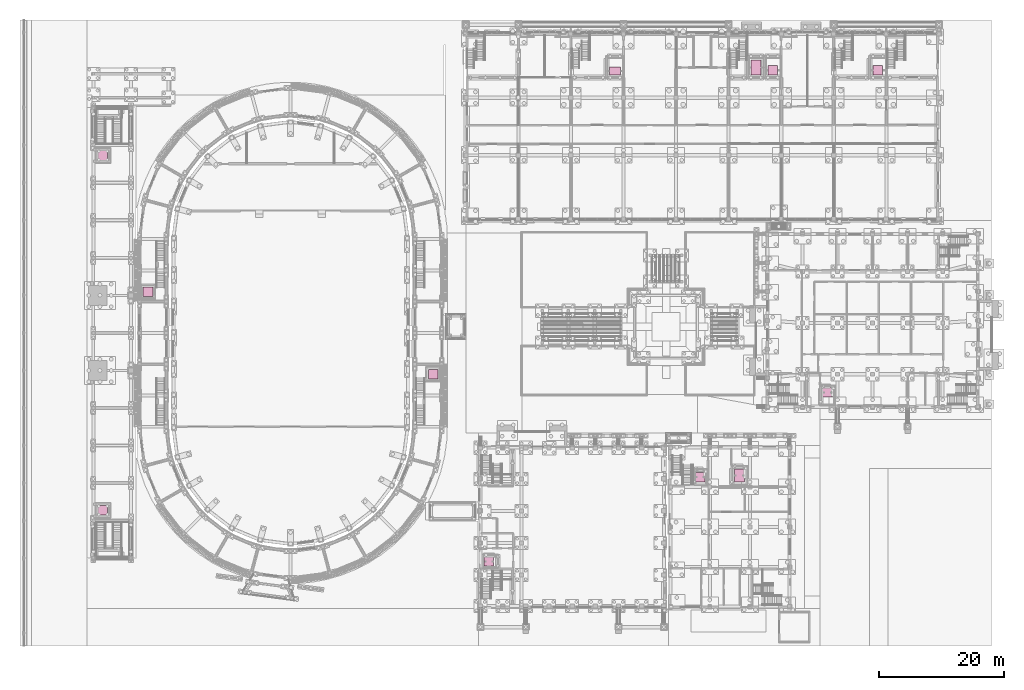
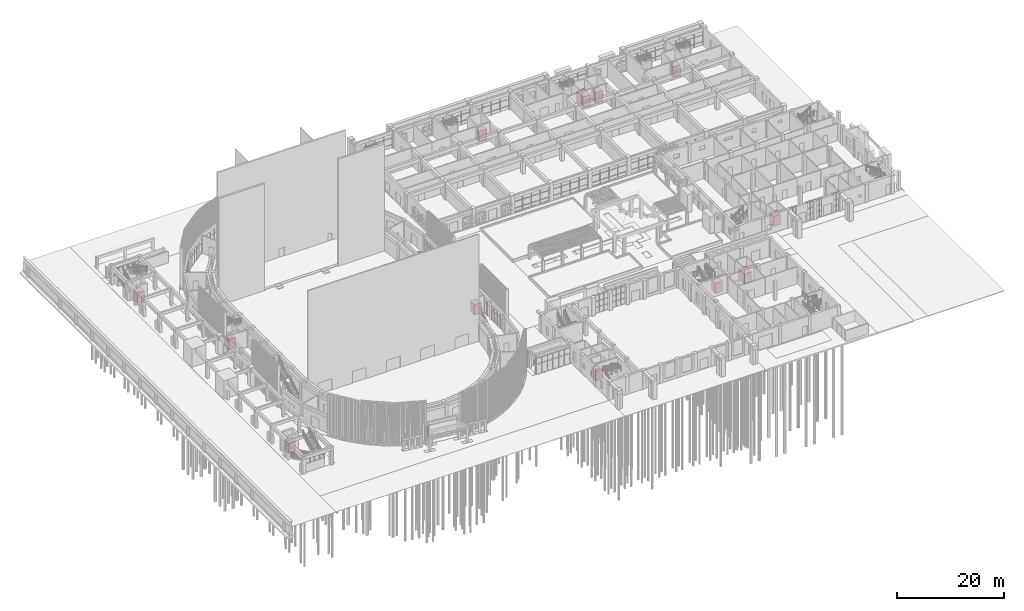
# One storey, part 112 of 112: 12 transport elements.
"""IFC4 building model written with IfcOpenShell, lengths in metres."""

from ifc_helpers import new_model, si_unit, direction, frame, origin, origin_2d, place, context, subcontext, project, spatial, rectangle, extrude, material, type_object, element, save


model = new_model("IFC4")

# Units and contexts
model_context = context("Model", 3, precision=1e-05, world=origin(), true_north=direction((0.0, 1.0)))
body_context = subcontext(model_context, "Body", "Model", "MODEL_VIEW")
ifc_project = project(units=[si_unit("LENGTHUNIT", "METRE"), si_unit("AREAUNIT", "SQUARE_METRE"), si_unit("VOLUMEUNIT", "CUBIC_METRE"), si_unit("PLANEANGLEUNIT", "RADIAN"), si_unit("MASSUNIT", "GRAM", prefix="KILO")], contexts=[model_context])

# Site, building, storey
site_placement = place(None, origin())
site = spatial("IfcSite", under=ifc_project, at=site_placement, CompositionType="ELEMENT")
building_placement = place(site_placement, origin())
building = spatial("IfcBuilding", under=site, at=building_placement, Name="Wasatch Bagh Community Centre", CompositionType="ELEMENT")
storey_placement = place(building_placement, origin())
storey = spatial("IfcBuildingStorey", under=building, at=storey_placement, Name="L00", CompositionType="ELEMENT", Elevation=0.0)

# Transport elements
ifc_material_1 = material(Name="Painted steel", Category="steel")
transport_element_type_1 = type_object("IfcTransportElementType", Name="CT-L1", PredefinedType="ELEVATOR", material=ifc_material_1)
for number, where, z_axis, x_axis, name in (
    (1, (6.0, 21.64990234375, 0.0), (0.0, 0.0, 1.0), (1.0, 0.0, 0.0), "LC1 passenger lift car"),
    (2, (6.0, 78.35009765625, 0.0), (0.0, 0.0, 1.0), (1.0, 0.0, 0.0), "LC2 passenger lift car"),
):
    element("IfcTransportElement", number, at=place(storey_placement, frame(where, z_axis=z_axis, x_axis=x_axis)), inside=storey, type_object=transport_element_type_1, Name=name, PredefinedType="ELEVATOR", context=body_context, shape_type="SweptSolid", body=[
        extrude(rectangle(XDim=1.52490234375, YDim=1.52490234375, at=origin_2d()), origin(), (0.0, 0.0, 1.0), 2.39990234375),
    ])
ifc_material_2 = material(Name="Stainless steel", Category="steel")
transport_element_type_2 = type_object("IfcTransportElementType", Name="DH lift LF4", PredefinedType="ELEVATOR", material=ifc_material_2)
transport_element_1_placement = place(storey_placement, frame((67.699951171875, 13.5, 0.0), z_axis=(0.0, 0.0, 1.0), x_axis=(1.0, 0.0, 0.0)))
element("IfcTransportElement", 3, at=transport_element_1_placement, inside=storey, type_object=transport_element_type_2, Name="Lift LF4", PredefinedType="ELEVATOR", context=body_context, shape_type="SweptSolid", body=[
    extrude(rectangle(XDim=1.52490234375, YDim=1.52490234375, at=origin_2d()), origin(), (0.0, 0.0, 1.0), 2.300048828125),
])
ifc_material_3 = material(Name="Stainless steel lift car", Category="steel")
transport_element_type_3 = type_object("IfcTransportElementType", Name="Drum passenger lift 1525 x 1525", PredefinedType="ELEVATOR", material=ifc_material_3)
for number, where, z_axis, x_axis, name in (
    (4, (58.77490234375, 43.39990234375, 0.0), (0.0, 0.0, 1.0), (1.0, 0.0, 0.0), "Lift LIFT-SE"),
    (5, (13.22509765625, 56.60009765625, 0.0), (0.0, 0.0, 1.0), (1.0, 0.0, 0.0), "Lift LIFT-NW"),
):
    element("IfcTransportElement", number, at=place(storey_placement, frame(where, z_axis=z_axis, x_axis=x_axis)), inside=storey, type_object=transport_element_type_3, Name=name, PredefinedType="ELEVATOR", context=body_context, shape_type="SweptSolid", body=[
        extrude(rectangle(XDim=1.52490234375, YDim=1.52490234375, at=origin_2d()), origin(), (0.0, 0.0, 1.0), 2.39990234375),
    ])
transport_element_type_4 = type_object("IfcTransportElementType", Name="KW lift LF2", PredefinedType="ELEVATOR", material=ifc_material_2)
transport_element_2_placement = place(storey_placement, frame((101.449951171875, 26.97509765625, 0.0), z_axis=(0.0, 0.0, 1.0), x_axis=(1.0, 0.0, 0.0)))
element("IfcTransportElement", 6, at=transport_element_2_placement, inside=storey, type_object=transport_element_type_4, Name="Lift LF2", PredefinedType="ELEVATOR", context=body_context, shape_type="SweptSolid", body=[
    extrude(rectangle(XDim=1.52490234375, YDim=1.52490234375, at=origin_2d()), origin(), (0.0, 0.0, 1.0), 2.300048828125),
])
transport_element_type_5 = type_object("IfcTransportElementType", Name="KW lift LF3", PredefinedType="ELEVATOR", material=ifc_material_2)
transport_element_3_placement = place(storey_placement, frame((107.699951171875, 27.199951171875, 0.0), z_axis=(0.0, 0.0, 1.0), x_axis=(1.0, 0.0, 0.0)))
element("IfcTransportElement", 7, at=transport_element_3_placement, inside=storey, type_object=transport_element_type_5, Name="Lift LF3", PredefinedType="ELEVATOR", context=body_context, shape_type="SweptSolid", body=[
    extrude(rectangle(XDim=1.60009765625, YDim=2.10009765625, at=origin_2d()), origin(), (0.0, 0.0, 1.0), 2.300048828125),
])
ifc_material_4 = material(Name="Stainless steel car", Category="steel")
transport_element_type_6 = type_object("IfcTransportElementType", Name="LW lift car 1525x1525", PredefinedType="ELEVATOR", material=ifc_material_4)
for number, where, z_axis, x_axis, name in (
    (8, (113.050048828125, 91.96240234375, 0.050048828125), (0.0, 0.0, 1.0), (1.0, 0.0, 0.0), "Lift LF-L3"),
    (9, (129.85009765625, 91.96240234375, 0.050048828125), (0.0, 0.0, 1.0), (1.0, 0.0, 0.0), "Lift LF-L4"),
):
    element("IfcTransportElement", number, at=place(storey_placement, frame(where, z_axis=z_axis, x_axis=x_axis)), inside=storey, type_object=transport_element_type_6, Name=name, PredefinedType="ELEVATOR", context=body_context, shape_type="SweptSolid", body=[
        extrude(rectangle(XDim=1.52490234375, YDim=1.52490234375, at=origin_2d()), origin(), (0.0, 0.0, 1.0), 2.39990234375),
    ])
transport_element_type_7 = type_object("IfcTransportElementType", Name="LW lift car 1600x2400", PredefinedType="ELEVATOR", material=ifc_material_4)
transport_element_4_placement = place(storey_placement, frame((110.35009765625, 92.39990234375, 0.050048828125), z_axis=(0.0, 0.0, 1.0), x_axis=(1.0, 0.0, 0.0)))
element("IfcTransportElement", 10, at=transport_element_4_placement, inside=storey, type_object=transport_element_type_7, Name="Lift LF-L2", PredefinedType="ELEVATOR", context=body_context, shape_type="SweptSolid", body=[
    extrude(rectangle(XDim=1.60009765625, YDim=2.39990234375, at=origin_2d()), origin(), (0.0, 0.0, 1.0), 2.39990234375),
])
transport_element_type_8 = type_object("IfcTransportElementType", Name="LW lift car 1725x1295", PredefinedType="ELEVATOR", material=ifc_material_4)
transport_element_5_placement = place(storey_placement, frame((87.85009765625, 91.847412109375, 0.050048828125), z_axis=(0.0, 0.0, 1.0), x_axis=(1.0, 0.0, 0.0)))
element("IfcTransportElement", 11, at=transport_element_5_placement, inside=storey, type_object=transport_element_type_8, Name="Lift LF-L1", PredefinedType="ELEVATOR", context=body_context, shape_type="SweptSolid", body=[
    extrude(rectangle(XDim=1.72509765625, YDim=1.294921875, at=origin_2d()), origin(), (0.0, 0.0, 1.0), 2.39990234375),
])
transport_element_type_9 = type_object("IfcTransportElementType", Name="SH lift LF1", PredefinedType="ELEVATOR", material=ifc_material_2)
transport_element_6_placement = place(storey_placement, frame((121.800048828125, 40.5, 0.0), z_axis=(0.0, 0.0, 1.0), x_axis=(1.0, 0.0, 0.0)))
element("IfcTransportElement", 12, at=transport_element_6_placement, inside=storey, type_object=transport_element_type_9, Name="Lift LF1", PredefinedType="ELEVATOR", context=body_context, shape_type="SweptSolid", body=[
    extrude(rectangle(XDim=1.52490234375, YDim=1.52490234375, at=origin_2d()), origin(), (0.0, 0.0, 1.0), 2.300048828125),
])

save(model, "model.ifc")
